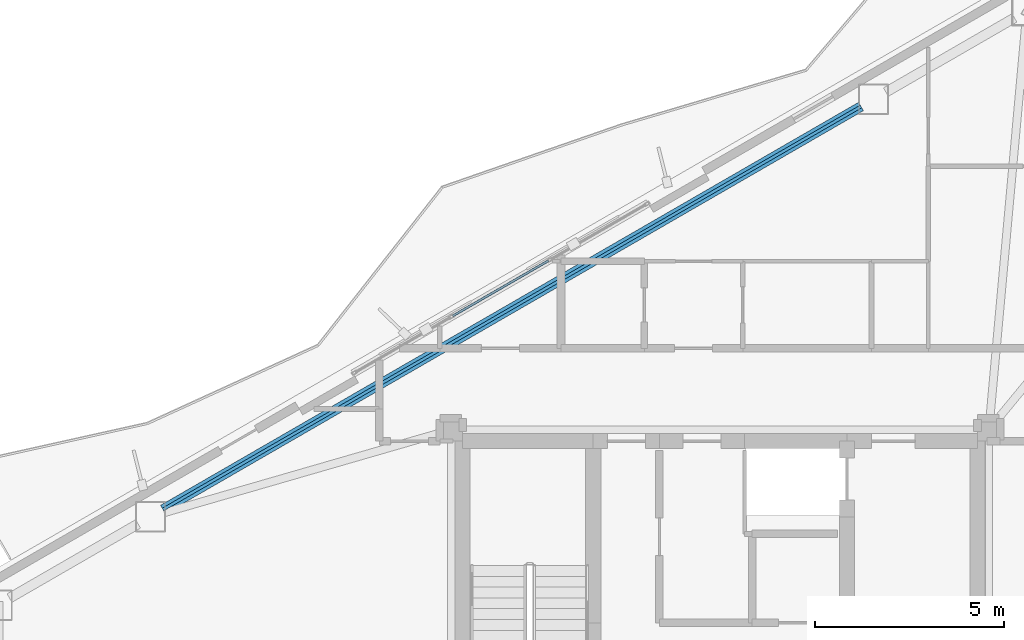
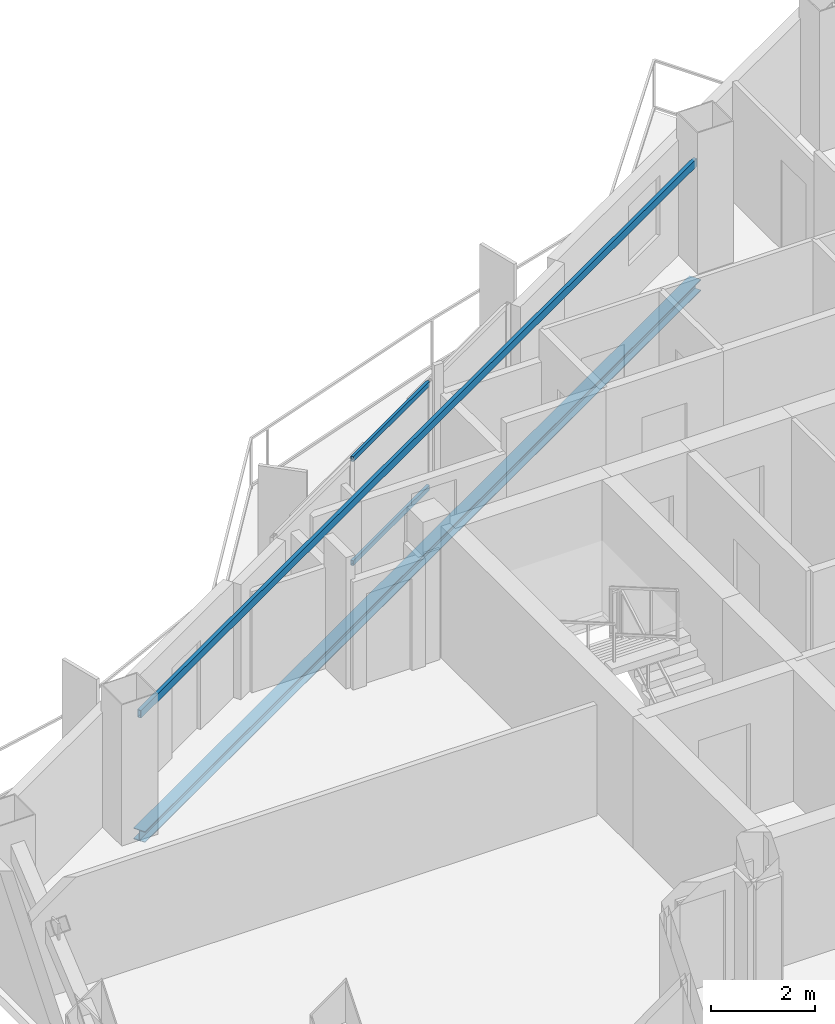
# One storey, part 9 of 22: 2 beams, 2 members, 1 element without a shape of its own.
"""IFC4 building model written with IfcOpenShell, lengths in metres."""

import ifcopenshell
import ifcopenshell.guid

model = None  # the IFC model being written
_history = None  # IfcOwnerHistory: only IFC2X3 demands one
_inside = {}  # id of a spatial element -> (the spatial element, [elements in it])
_under = {}  # id of a project, library or spatial element -> (it, [spatial elements below it])
_declared = {}  # id of a project -> (the project, [libraries it declares])
_typed = {}  # id of a type object -> (the type object, [elements of that type])
_made_of = {}  # id of a material, layer set ... -> (it, [elements and type objects made of it])


def new_model(schema):
    """Start an empty IFC model of exactly this schema.

    Asked for "IFC4X3", IfcOpenShell would pick the latest addendum, in which some entities
    have other attributes; the version numbers below select the first issue.
    IFC2X3 requires an IfcOwnerHistory on every rooted entity: one is made here for all.
    """
    global model, _history
    if schema == "IFC4X3":
        model = ifcopenshell.file(schema_version=(4, 3, 0, 0))
    else:
        model = ifcopenshell.file(schema=schema)
    _inside.clear()
    _under.clear()
    _declared.clear()
    _typed.clear()
    _made_of.clear()
    _history = None
    if model.schema == "IFC2X3":
        org = make("IfcOrganization", Name="unknown")
        user = make(
            "IfcPersonAndOrganization",
            ThePerson=make("IfcPerson", FamilyName="unknown"),
            TheOrganization=org,
        )
        app = make(
            "IfcApplication",
            ApplicationDeveloper=org,
            Version="unknown",
            ApplicationFullName="unknown",
            ApplicationIdentifier="unknown",
        )
        _history = make(
            "IfcOwnerHistory",
            OwningUser=user,
            OwningApplication=app,
            ChangeAction="ADDED",
            CreationDate=0,
        )
    return model


def make(cls, **values):
    """One entity of the class cls with the attributes given. An attribute that is None is left unset."""
    return model.create_entity(
        cls, **{name: value for name, value in values.items() if value is not None}
    )


def rooted(cls, **values):
    """An entity with a GlobalId (a new one), such as an element, a storey or a relation."""
    return make(cls, GlobalId=ifcopenshell.guid.new(), OwnerHistory=_history, **values)


def si_unit(unit_type, name, prefix=None):
    """IfcSIUnit, for example si_unit("LENGTHUNIT", "METRE", prefix="MILLI")."""
    return make("IfcSIUnit", UnitType=unit_type, Prefix=prefix, Name=name)


def assignment(units):
    """IfcUnitAssignment: the units of a project."""
    return None if units is None else make("IfcUnitAssignment", Units=units)


def point(xyz):
    """IfcCartesianPoint."""
    return None if xyz is None else make("IfcCartesianPoint", Coordinates=xyz)


def direction(xyz):
    """IfcDirection."""
    return None if xyz is None else make("IfcDirection", DirectionRatios=xyz)


def frame(location, z_axis=None, x_axis=None):
    """IfcAxis2Placement3D, a coordinate frame: its origin and axes. An axis left out is left unset."""
    return make(
        "IfcAxis2Placement3D",
        Location=point(location),
        Axis=direction(z_axis),
        RefDirection=direction(x_axis),
    )


def frame_2d(location, x_axis=None):
    """IfcAxis2Placement2D, a coordinate frame in the plane: its origin and x axis."""
    return make(
        "IfcAxis2Placement2D", Location=point(location), RefDirection=direction(x_axis)
    )


def origin():
    """The frame at (0, 0, 0) with its axes left unset."""
    return frame((0.0, 0.0, 0.0))


def origin_2d():
    """The frame at (0, 0) in the plane with its x axis left unset."""
    return frame_2d((0.0, 0.0))


def place(relative_to, where):
    """IfcLocalPlacement: puts the frame where relative to a parent placement (None: the world)."""
    return make(
        "IfcLocalPlacement", PlacementRelTo=relative_to, RelativePlacement=where
    )


def context(
    kind, dimensions, precision=None, world=None, true_north=None, identifier=None
):
    """IfcGeometricRepresentationContext, for example the 3D "Model" context."""
    return make(
        "IfcGeometricRepresentationContext",
        ContextIdentifier=identifier,
        ContextType=kind,
        CoordinateSpaceDimension=dimensions,
        Precision=precision,
        WorldCoordinateSystem=world,
        TrueNorth=true_north,
    )


def subcontext(parent, identifier, kind, view, scale=None):
    """IfcGeometricRepresentationSubContext, for example "Body" below "Model"."""
    return make(
        "IfcGeometricRepresentationSubContext",
        ContextIdentifier=identifier,
        ContextType=kind,
        ParentContext=parent,
        TargetScale=scale,
        TargetView=view,
    )


def project(units=None, contexts=None):
    """IfcProject with its units and contexts."""
    return rooted(
        "IfcProject",
        Name="project",
        RepresentationContexts=contexts,
        UnitsInContext=assignment(units),
    )


def spatial(cls, under=None, at=None, **own):
    """A site, building, storey or space (cls), placed at a placement, below another one or the project."""
    s = rooted(cls, ObjectPlacement=at, **own)
    if under is not None:
        _under.setdefault(under.id(), (under, []))[1].append(s)
    return s


def profile(cls, at=None, kind="AREA", **sizes):
    """A parametric profile (cls). Its sizes go by their IFC names, for example OverallWidth=200.0."""
    return make(cls, ProfileType=kind, Position=at, **sizes)


def hollow_rectangle(**sizes):
    """IfcRectangleHollowProfileDef."""
    return profile("IfcRectangleHollowProfileDef", **sizes)


def i_section(**sizes):
    """IfcIShapeProfileDef."""
    return profile("IfcIShapeProfileDef", **sizes)


def extrude(swept, where, along, depth):
    """IfcExtrudedAreaSolid: the profile swept, set in the frame where, extruded along a direction by depth."""
    return make(
        "IfcExtrudedAreaSolid",
        SweptArea=swept,
        Position=where,
        ExtrudedDirection=direction(along),
        Depth=depth,
    )


def shape(context_of_items, identifier, shape_type, items):
    """IfcShapeRepresentation: the items that make up one representation, for example the "Body"."""
    return make(
        "IfcShapeRepresentation",
        ContextOfItems=context_of_items,
        RepresentationIdentifier=identifier,
        RepresentationType=shape_type,
        Items=items,
    )


def material(Name=None, Category=None):
    """IfcMaterial."""
    return make("IfcMaterial", Name=Name, Category=Category)


def layer(
    of_material, thickness, ventilated=None, Name=None, Category=None, Priority=None
):
    """IfcMaterialLayer: one layer of a wall or slab, of a material (None: an air gap)."""
    return make(
        "IfcMaterialLayer",
        Material=of_material,
        LayerThickness=thickness,
        IsVentilated=ventilated,
        Name=Name,
        Category=Category,
        Priority=Priority,
    )


def layer_set(layers, Name=None):
    """IfcMaterialLayerSet."""
    return make("IfcMaterialLayerSet", MaterialLayers=layers, LayerSetName=Name)


def material_profile(
    of_material, cross_section, Name=None, Category=None, Priority=None
):
    """IfcMaterialProfile: a cross section and its material."""
    return make(
        "IfcMaterialProfile",
        Name=Name,
        Material=of_material,
        Profile=cross_section,
        Priority=Priority,
        Category=Category,
    )


def profile_set(profiles, Name=None, composite=None):
    """IfcMaterialProfileSet."""
    return make(
        "IfcMaterialProfileSet",
        Name=Name,
        MaterialProfiles=profiles,
        CompositeProfile=composite,
    )


def made_of(thing, what):
    """Note that an element or type object is made of a material, layer set ...; save() writes the relation."""
    if what is not None:
        _made_of.setdefault(what.id(), (what, []))[1].append(thing)
    return thing


def type_object(cls, material=None, **own):
    """A type object (cls), such as IfcWallType, which elements share."""
    return made_of(rooted(cls, **own), material)


def element(
    cls,
    number,
    at=None,
    inside=None,
    cuts=None,
    type_object=None,
    material=None,
    context=None,
    identifier="Body",
    shape_type=None,
    held_by="IfcProductDefinitionShape",
    body=None,
    shapes=None,
    **own,
):
    """One element of the class cls, such as IfcWall. Its Tag is "e" and its number.

    at: its placement. inside: the storey or other place that contains it. cuts: it is an
    opening in that element (IfcRelVoidsElement). A single representation is given by context,
    identifier, shape_type and body (its items); several are given by shapes. held_by: the class
    of the entity that holds the representations. save() writes the other relations.
    """
    e = rooted(cls, Tag="e%d" % number, ObjectPlacement=at, **own)
    if body is not None:
        shapes = [shape(context, identifier, shape_type, body)]
    if shapes is not None:
        e.Representation = make(held_by, Representations=shapes)
    if inside is not None:
        _inside.setdefault(inside.id(), (inside, []))[1].append(e)
    if cuts is not None:
        rooted(
            "IfcRelVoidsElement", RelatingBuildingElement=cuts, RelatedOpeningElement=e
        )
    if type_object is not None:
        _typed.setdefault(type_object.id(), (type_object, []))[1].append(e)
    return made_of(e, material)


def aggregate(whole, parts):
    """IfcRelAggregates: a whole, such as a stair, and the parts it consists of."""
    return rooted("IfcRelAggregates", RelatingObject=whole, RelatedObjects=parts)


def save(model, path):
    """Write the relations noted so far, then the file.

    IfcRelAggregates (storeys below a building ...), IfcRelContainedInSpatialStructure (elements
    in a storey), IfcRelDefinesByType, IfcRelAssociatesMaterial and IfcRelDeclares: one each for
    every whole, place, type object, material and project.
    """
    for whole, parts in _under.values():
        aggregate(whole, parts)
    for where, things in _inside.values():
        rooted(
            "IfcRelContainedInSpatialStructure",
            RelatedElements=things,
            RelatingStructure=where,
        )
    for kind, things in _typed.values():
        rooted("IfcRelDefinesByType", RelatedObjects=things, RelatingType=kind)
    for what, things in _made_of.values():
        rooted("IfcRelAssociatesMaterial", RelatedObjects=things, RelatingMaterial=what)
    for by, libraries in _declared.values():
        rooted("IfcRelDeclares", RelatingContext=by, RelatedDefinitions=libraries)
    model.write(path)


model = new_model("IFC4")

# Units and contexts
model_context = context("Model", 3, precision=1e-05, world=origin(), true_north=direction((0.0, 1.0)))
body_context = subcontext(model_context, "Body", "Model", "MODEL_VIEW")
ifc_project = project(units=[si_unit("LENGTHUNIT", "METRE"), si_unit("AREAUNIT", "SQUARE_METRE"), si_unit("VOLUMEUNIT", "CUBIC_METRE"), si_unit("PLANEANGLEUNIT", "RADIAN"), si_unit("MASSUNIT", "GRAM", prefix="KILO")], contexts=[model_context])

# Site, building, storey
site_placement = place(None, origin())
site = spatial("IfcSite", under=ifc_project, at=site_placement, CompositionType="ELEMENT")
building_placement = place(site_placement, origin())
building = spatial("IfcBuilding", under=site, at=building_placement, Name="Mersakhor Tower and Convention Hall", CompositionType="ELEMENT")
storey_placement = place(building_placement, frame((0.0, 0.0, 208.5)))
storey = spatial("IfcBuildingStorey", under=building, at=storey_placement, Name="L58", CompositionType="ELEMENT", Elevation=208.5)

# Beams
ifc_material_1 = material(Name="Steel S355", Category="steel")
ifc_material_profile_1 = material_profile(ifc_material_1, hollow_rectangle(XDim=0.080078125, YDim=0.179931640625, WallThickness=0.008056640625, at=origin_2d()), Name="RHS 180x80x8")
ifc_profile_set_1 = profile_set([ifc_material_profile_1], Name="Steel S355")
beam_type_1 = type_object("IfcBeamType", Name="BM-GRT-RHS180", PredefinedType="USERDEFINED", material=ifc_profile_set_1)
beam_1_placement = place(storey_placement, frame((14.288818359375, 30.94482421875, 2.47998046875), z_axis=(0.866024569776, 0.500001444543, 0.0), x_axis=(-0.500001444543, 0.866024569776, 0.0)))
element("IfcBeam", 1, at=beam_1_placement, inside=storey, type_object=beam_type_1, Name="L58 Facade Support Girt GRT-F1", ObjectType="GIRT", PredefinedType="USERDEFINED", context=body_context, shape_type="SweptSolid", body=[
    extrude(hollow_rectangle(XDim=0.080078125, YDim=0.179931640625, WallThickness=0.008056640625, at=origin_2d()), origin(), (0.0, 0.0, 1.0), 21.28564453125),
])
ifc_material_2 = material(Name="Steel S355", Category="steel")
ifc_material_profile_2 = material_profile(ifc_material_2, i_section(OverallWidth=0.25634765625, OverallDepth=0.26025390625, WebThickness=0.01025390625, FlangeThickness=0.017333984375, at=origin_2d()), Name="UC 254x254x89")
ifc_profile_set_2 = profile_set([ifc_material_profile_2], Name="Steel S355")
beam_type_2 = type_object("IfcBeamType", Name="BM-SPD-UC254", PredefinedType="SPANDREL", material=ifc_profile_set_2)
beam_2_placement = place(storey_placement, frame((14.288818359375, 30.94482421875, -0.360107421875), z_axis=(0.866024569776, 0.500001444543, 0.0), x_axis=(-0.500001444543, 0.866024569776, 0.0)))
element("IfcBeam", 2, at=beam_2_placement, inside=storey, type_object=beam_type_2, Name="L58 Perimeter Spandrel Beam SPB-02", PredefinedType="SPANDREL", context=body_context, shape_type="SweptSolid", body=[
    extrude(i_section(OverallWidth=0.25634765625, OverallDepth=0.26025390625, WebThickness=0.01025390625, FlangeThickness=0.017333984375, at=origin_2d()), origin(), (0.0, 0.0, 1.0), 21.28564453125),
])

# Curtain wall, members
ifc_material_3 = material(Name="Dark solar low-E aluminium curtain wall", Category="aluminium")
ifc_layer = layer(ifc_material_3, 0.169921875)
ifc_layer_set = layer_set([ifc_layer], Name="Dark solar low-E aluminium curtain wall")
curtain_wall_type = type_object("IfcCurtainWallType", Name="CW-SYS-02", PredefinedType="USERDEFINED", material=ifc_layer_set)
curtain_wall_placement = place(storey_placement, origin())
curtain_wall = element("IfcCurtainWall", 3, at=curtain_wall_placement, inside=storey, type_object=curtain_wall_type, Name="L58 Dark-Glass Curtain Wall F1-B2", ObjectType="CURTAIN WALL", PredefinedType="USERDEFINED")
ifc_material_4 = material(Name="Anodised aluminium EN AW-6063 T6", Category="aluminium")
ifc_material_profile_3 = material_profile(ifc_material_4, hollow_rectangle(XDim=0.06005859375, YDim=0.1201171875, WallThickness=0.0048828125, at=origin_2d()), Name="RHS 120x60x5")
ifc_profile_set_3 = profile_set([ifc_material_profile_3], Name="Anodised aluminium EN AW-6063 T6")
member_type = type_object("IfcMemberType", Name="CWT-120x60", PredefinedType="USERDEFINED", material=ifc_profile_set_3)
member_1_placement = place(storey_placement, frame((21.939453125, 36.0546875, 0.22998046875), z_axis=(0.866004860328, 0.500035580622, 0.0), x_axis=(-0.500035580622, 0.866004860328, 0.0)))
member_1 = element("IfcMember", 4, at=member_1_placement, type_object=member_type, Name="CW-02 transom 2.1", ObjectType="TRANSOM", PredefinedType="USERDEFINED", context=body_context, shape_type="SweptSolid", body=[
    extrude(hollow_rectangle(XDim=0.06005859375, YDim=0.1201171875, WallThickness=0.0048828125, at=origin_2d()), origin(), (0.0, 0.0, 1.0), 2.924560546875),
])
member_2_placement = place(storey_placement, frame((21.939453125, 36.0546875, 2.659912109375), z_axis=(0.866004860328, 0.500035580622, 0.0), x_axis=(-0.500035580622, 0.866004860328, 0.0)))
member_2 = element("IfcMember", 5, at=member_2_placement, type_object=member_type, Name="CW-02 transom 2.2", ObjectType="TRANSOM", PredefinedType="USERDEFINED", context=body_context, shape_type="SweptSolid", body=[
    extrude(hollow_rectangle(XDim=0.06005859375, YDim=0.1201171875, WallThickness=0.0048828125, at=origin_2d()), origin(), (0.0, 0.0, 1.0), 2.924560546875),
])
aggregate(curtain_wall, [member_1, member_2])

save(model, "model.ifc")
